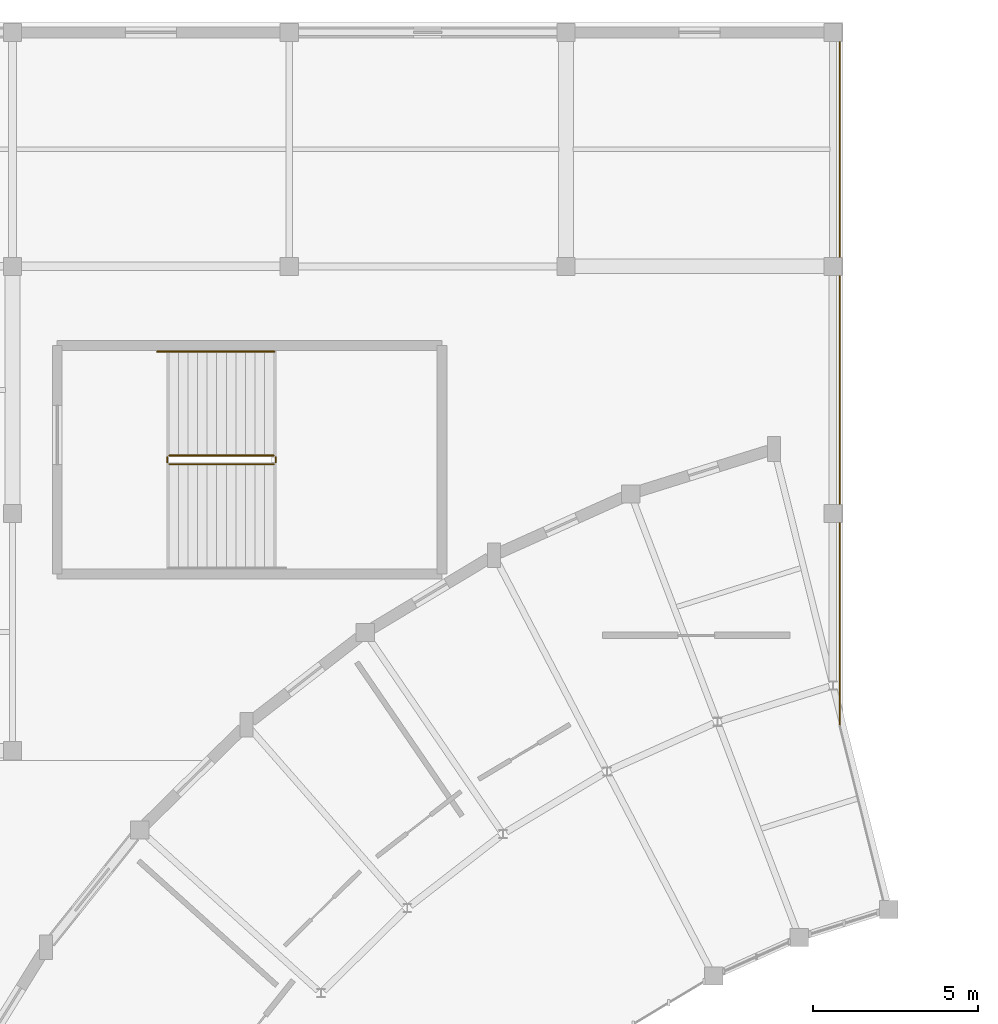
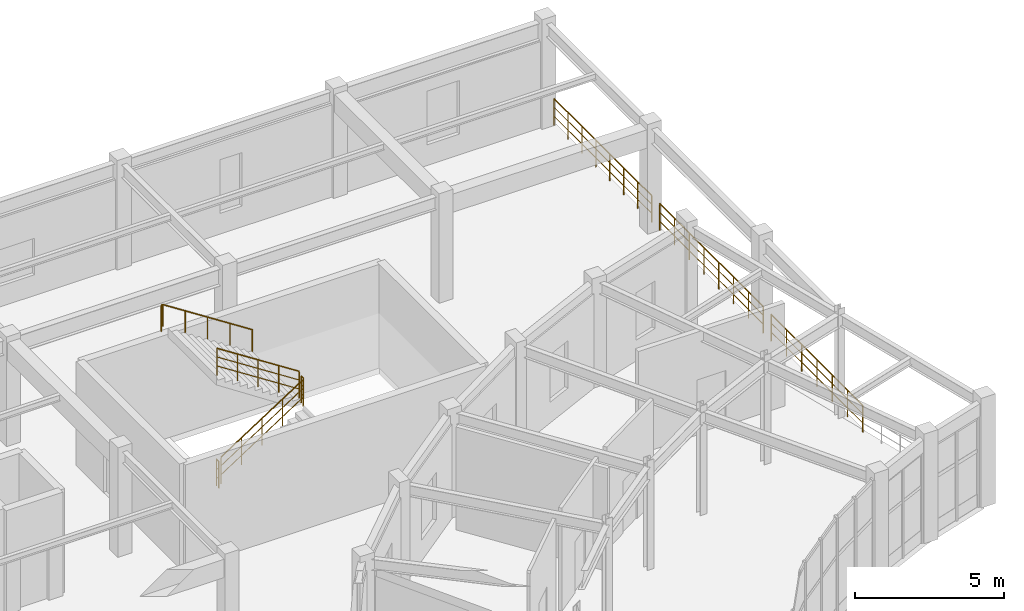
# One storey, part 108 of 112: 8 railings.
"""IFC4 building model written with IfcOpenShell, lengths in metres."""

from ifc_helpers import new_model, si_unit, direction, frame, origin, origin_2d, place, context, subcontext, project, spatial, circle, extrude, material, type_object, element, save


model = new_model("IFC4")

# Units and contexts
model_context = context("Model", 3, precision=1e-05, world=origin(), true_north=direction((0.0, 1.0)))
body_context = subcontext(model_context, "Body", "Model", "MODEL_VIEW")
ifc_project = project(units=[si_unit("LENGTHUNIT", "METRE"), si_unit("AREAUNIT", "SQUARE_METRE"), si_unit("VOLUMEUNIT", "CUBIC_METRE"), si_unit("PLANEANGLEUNIT", "RADIAN"), si_unit("MASSUNIT", "GRAM", prefix="KILO")], contexts=[model_context])

# Site, building, storey
site_placement = place(None, origin())
site = spatial("IfcSite", under=ifc_project, at=site_placement, CompositionType="ELEMENT")
building_placement = place(site_placement, origin())
building = spatial("IfcBuilding", under=site, at=building_placement, Name="Cinderbank Siding Concert Hall", CompositionType="ELEMENT")
storey_placement = place(building_placement, frame((0.0, 0.0, 10.199951171875)))
storey = spatial("IfcBuildingStorey", under=building, at=storey_placement, Name="L03", CompositionType="ELEMENT", Elevation=10.199951171875)

# Railings
ifc_material = material(Name="Structural steel AS/NZS 3679.1 Grade 350 (340 MPa)", Category="steel")
railing_type_1 = type_object("IfcRailingType", Name="GD-01 Terrace & Perimeter Guardrail 1120mm", PredefinedType="GUARDRAIL", material=ifc_material)
railing_1_placement = place(storey_placement, frame((48.699951171875, 117.6318359375, 0.0)))
element("IfcRailing", 1, at=railing_1_placement, inside=storey, type_object=railing_type_1, Name="L03 Perimeter Guardrail #69", PredefinedType="GUARDRAIL", context=body_context, shape_type="SweptSolid", body=[
    extrude(circle(Radius=0.02392578125, at=origin_2d()), frame((0.0, 0.0, 1.09619140625), z_axis=(0.0, -1.0, 0.0), x_axis=(1.0, 0.0, 0.0)), (0.0, 0.0, 1.0), 6.563720703125),
    extrude(circle(Radius=0.01611328125, at=origin_2d()), frame((0.0, 0.0, 0.36962890625), z_axis=(0.0, -1.0, 0.0), x_axis=(1.0, 0.0, 0.0)), (0.0, 0.0, 1.0), 6.563720703125),
    extrude(circle(Radius=0.01611328125, at=origin_2d()), frame((0.0, 0.0, 0.7392578125), z_axis=(0.0, -1.0, 0.0), x_axis=(1.0, 0.0, 0.0)), (0.0, 0.0, 1.0), 6.563720703125),
    extrude(circle(Radius=0.02099609375, at=origin_2d()), origin(), (0.0, 0.0, 1.0), 1.072021484375),
    extrude(circle(Radius=0.02099609375, at=origin_2d()), frame((0.0, -0.937744140625, 0.0)), (0.0, 0.0, 1.0), 1.072021484375),
    extrude(circle(Radius=0.02099609375, at=origin_2d()), frame((0.0, -1.875244140625, 0.0)), (0.0, 0.0, 1.0), 1.072021484375),
    extrude(circle(Radius=0.02099609375, at=origin_2d()), frame((0.0, -2.81298828125, 0.0)), (0.0, 0.0, 1.0), 1.072021484375),
    extrude(circle(Radius=0.02099609375, at=origin_2d()), frame((0.0, -3.750732421875, 0.0)), (0.0, 0.0, 1.0), 1.072021484375),
    extrude(circle(Radius=0.02099609375, at=origin_2d()), frame((0.0, -4.6884765625, 0.0)), (0.0, 0.0, 1.0), 1.072021484375),
    extrude(circle(Radius=0.02099609375, at=origin_2d()), frame((0.0, -5.6259765625, 0.0)), (0.0, 0.0, 1.0), 1.072021484375),
    extrude(circle(Radius=0.02099609375, at=origin_2d()), frame((0.0, -6.563720703125, 0.0)), (0.0, 0.0, 1.0), 1.072021484375),
])
railing_2_placement = place(storey_placement, frame((48.699951171875, 110.53173828125, 0.0)))
element("IfcRailing", 2, at=railing_2_placement, inside=storey, type_object=railing_type_1, Name="L03 Perimeter Guardrail #70", PredefinedType="GUARDRAIL", context=body_context, shape_type="SweptSolid", body=[
    extrude(circle(Radius=0.02392578125, at=origin_2d()), frame((0.0, 0.0, 1.09619140625), z_axis=(0.0, -1.0, 0.0), x_axis=(1.0, 0.0, 0.0)), (0.0, 0.0, 1.0), 6.963623046875),
    extrude(circle(Radius=0.01611328125, at=origin_2d()), frame((0.0, 0.0, 0.36962890625), z_axis=(0.0, -1.0, 0.0), x_axis=(1.0, 0.0, 0.0)), (0.0, 0.0, 1.0), 6.963623046875),
    extrude(circle(Radius=0.01611328125, at=origin_2d()), frame((0.0, 0.0, 0.7392578125), z_axis=(0.0, -1.0, 0.0), x_axis=(1.0, 0.0, 0.0)), (0.0, 0.0, 1.0), 6.963623046875),
    extrude(circle(Radius=0.02099609375, at=origin_2d()), origin(), (0.0, 0.0, 1.0), 1.072021484375),
    extrude(circle(Radius=0.02099609375, at=origin_2d()), frame((0.0, -0.994873046875, 0.0)), (0.0, 0.0, 1.0), 1.072021484375),
    extrude(circle(Radius=0.02099609375, at=origin_2d()), frame((0.0, -1.989501953125, 0.0)), (0.0, 0.0, 1.0), 1.072021484375),
    extrude(circle(Radius=0.02099609375, at=origin_2d()), frame((0.0, -2.984375, 0.0)), (0.0, 0.0, 1.0), 1.072021484375),
    extrude(circle(Radius=0.02099609375, at=origin_2d()), frame((0.0, -3.979248046875, 0.0)), (0.0, 0.0, 1.0), 1.072021484375),
    extrude(circle(Radius=0.02099609375, at=origin_2d()), frame((0.0, -4.97412109375, 0.0)), (0.0, 0.0, 1.0), 1.072021484375),
    extrude(circle(Radius=0.02099609375, at=origin_2d()), frame((0.0, -5.96875, 0.0)), (0.0, 0.0, 1.0), 1.072021484375),
    extrude(circle(Radius=0.02099609375, at=origin_2d()), frame((0.0, -6.963623046875, 0.0)), (0.0, 0.0, 1.0), 1.072021484375),
])
railing_3_placement = place(storey_placement, frame((48.699951171875, 103.03173828125, 0.0)))
element("IfcRailing", 3, at=railing_3_placement, inside=storey, type_object=railing_type_1, Name="L03 Perimeter Guardrail #71", PredefinedType="GUARDRAIL", context=body_context, shape_type="SweptSolid", body=[
    extrude(circle(Radius=0.02392578125, at=origin_2d()), frame((0.0, 0.0, 1.09619140625), z_axis=(0.0, -1.0, 0.0), x_axis=(1.0, 0.0, 0.0)), (0.0, 0.0, 1.0), 6.166259765625),
    extrude(circle(Radius=0.01611328125, at=origin_2d()), frame((0.0, 0.0, 0.36962890625), z_axis=(0.0, -1.0, 0.0), x_axis=(1.0, 0.0, 0.0)), (0.0, 0.0, 1.0), 6.166259765625),
    extrude(circle(Radius=0.01611328125, at=origin_2d()), frame((0.0, 0.0, 0.7392578125), z_axis=(0.0, -1.0, 0.0), x_axis=(1.0, 0.0, 0.0)), (0.0, 0.0, 1.0), 6.166259765625),
    extrude(circle(Radius=0.02099609375, at=origin_2d()), origin(), (0.0, 0.0, 1.0), 1.072021484375),
    extrude(circle(Radius=0.02099609375, at=origin_2d()), frame((0.0, -1.02783203125, 0.0)), (0.0, 0.0, 1.0), 1.072021484375),
    extrude(circle(Radius=0.02099609375, at=origin_2d()), frame((0.0, -2.055419921875, 0.0)), (0.0, 0.0, 1.0), 1.072021484375),
    extrude(circle(Radius=0.02099609375, at=origin_2d()), frame((0.0, -3.0830078125, 0.0)), (0.0, 0.0, 1.0), 1.072021484375),
    extrude(circle(Radius=0.02099609375, at=origin_2d()), frame((0.0, -4.11083984375, 0.0)), (0.0, 0.0, 1.0), 1.072021484375),
    extrude(circle(Radius=0.02099609375, at=origin_2d()), frame((0.0, -5.138671875, 0.0)), (0.0, 0.0, 1.0), 1.072021484375),
    extrude(circle(Radius=0.02099609375, at=origin_2d()), frame((0.0, -6.166259765625, 0.0)), (0.0, 0.0, 1.0), 1.072021484375),
])
railing_type_2 = type_object("IfcRailingType", Name="STG-01 Stair Well Guardrail 1120mm", PredefinedType="GUARDRAIL", material=ifc_material)
railing_4_placement = place(storey_placement, frame((28.35009765625, 104.800048828125, 0.1875)))
element("IfcRailing", 4, at=railing_4_placement, inside=storey, type_object=railing_type_2, Name="L03 ST-05 stair guard 1", PredefinedType="GUARDRAIL", context=body_context, shape_type="SweptSolid", body=[
    extrude(circle(Radius=0.02392578125, at=origin_2d()), frame((0.0, 0.0, 1.09619140625), z_axis=(0.839759782654, 0.0, 0.542958108362), x_axis=(0.0, 1.0, 0.0)), (0.0, 0.0, 1.0), 3.798583984375),
    extrude(circle(Radius=0.01611328125, at=origin_2d()), frame((0.0, 0.0, 0.36962890625), z_axis=(0.839759782654, 0.0, 0.542958108362), x_axis=(0.0, 1.0, 0.0)), (0.0, 0.0, 1.0), 3.798583984375),
    extrude(circle(Radius=0.01611328125, at=origin_2d()), frame((0.0, 0.0, 0.7392578125), z_axis=(0.839759782654, 0.0, 0.542958108362), x_axis=(0.0, 1.0, 0.0)), (0.0, 0.0, 1.0), 3.798583984375),
    extrude(circle(Radius=0.02099609375, at=origin_2d()), origin(), (0.0, 0.0, 1.0), 1.072021484375),
    extrude(circle(Radius=0.02099609375, at=origin_2d()), frame((0.79736328125, 0.0, 0.515625)), (0.0, 0.0, 1.0), 1.072021484375),
    extrude(circle(Radius=0.02099609375, at=origin_2d()), frame((1.594970703125, 0.0, 1.03125)), (0.0, 0.0, 1.0), 1.072021484375),
    extrude(circle(Radius=0.02099609375, at=origin_2d()), frame((2.392578125, 0.0, 1.546875)), (0.0, 0.0, 1.0), 1.072021484375),
    extrude(circle(Radius=0.02099609375, at=origin_2d()), frame((3.18994140625, 0.0, 2.0625)), (0.0, 0.0, 1.0), 1.072021484375),
])
railing_5_placement = place(storey_placement, frame((31.590087890625, 104.85009765625, 2.25)))
element("IfcRailing", 5, at=railing_5_placement, inside=storey, type_object=railing_type_2, Name="L03 ST-05 stair guard 2", PredefinedType="GUARDRAIL", context=body_context, shape_type="SweptSolid", body=[
    extrude(circle(Radius=0.02392578125, at=origin_2d()), frame((0.0, 0.0, 1.09619140625), z_axis=(0.0, 1.0, 0.0), x_axis=(-1.0, 0.0, 0.0)), (0.0, 0.0, 1.0), 0.159912109375),
    extrude(circle(Radius=0.01611328125, at=origin_2d()), frame((0.0, 0.0, 0.36962890625), z_axis=(0.0, 1.0, 0.0), x_axis=(-1.0, 0.0, 0.0)), (0.0, 0.0, 1.0), 0.159912109375),
    extrude(circle(Radius=0.01611328125, at=origin_2d()), frame((0.0, 0.0, 0.7392578125), z_axis=(0.0, 1.0, 0.0), x_axis=(-1.0, 0.0, 0.0)), (0.0, 0.0, 1.0), 0.159912109375),
    extrude(circle(Radius=0.02099609375, at=origin_2d()), origin(), (0.0, 0.0, 1.0), 1.072021484375),
    extrude(circle(Radius=0.02099609375, at=origin_2d()), frame((0.0, 0.159912109375, 0.0)), (0.0, 0.0, 1.0), 1.072021484375),
])
railing_6_placement = place(storey_placement, frame((31.5400390625, 105.06005859375, 2.4375)))
element("IfcRailing", 6, at=railing_6_placement, inside=storey, type_object=railing_type_2, Name="L03 ST-05 stair guard 3", PredefinedType="GUARDRAIL", context=body_context, shape_type="SweptSolid", body=[
    extrude(circle(Radius=0.02392578125, at=origin_2d()), frame((0.0, 0.0, 1.09619140625), z_axis=(-0.839759782654, 0.0, 0.542958108362), x_axis=(0.0, -1.0, 0.0)), (0.0, 0.0, 1.0), 3.798583984375),
    extrude(circle(Radius=0.01611328125, at=origin_2d()), frame((0.0, 0.0, 0.36962890625), z_axis=(-0.839759782654, 0.0, 0.542958108362), x_axis=(0.0, -1.0, 0.0)), (0.0, 0.0, 1.0), 3.798583984375),
    extrude(circle(Radius=0.01611328125, at=origin_2d()), frame((0.0, 0.0, 0.7392578125), z_axis=(-0.839759782654, 0.0, 0.542958108362), x_axis=(0.0, -1.0, 0.0)), (0.0, 0.0, 1.0), 3.798583984375),
    extrude(circle(Radius=0.02099609375, at=origin_2d()), origin(), (0.0, 0.0, 1.0), 1.072021484375),
    extrude(circle(Radius=0.02099609375, at=origin_2d()), frame((-0.79736328125, 0.0, 0.515625)), (0.0, 0.0, 1.0), 1.072021484375),
    extrude(circle(Radius=0.02099609375, at=origin_2d()), frame((-1.594970703125, 0.0, 1.03125)), (0.0, 0.0, 1.0), 1.072021484375),
    extrude(circle(Radius=0.02099609375, at=origin_2d()), frame((-2.392578125, 0.0, 1.546875)), (0.0, 0.0, 1.0), 1.072021484375),
    extrude(circle(Radius=0.02099609375, at=origin_2d()), frame((-3.18994140625, 0.0, 2.0625)), (0.0, 0.0, 1.0), 1.072021484375),
])
railing_7_placement = place(storey_placement, frame((28.300048828125, 104.85009765625, 0.0)))
element("IfcRailing", 7, at=railing_7_placement, inside=storey, type_object=railing_type_2, Name="L03 ST-05 stair guard 4", PredefinedType="GUARDRAIL", context=body_context, shape_type="SweptSolid", body=[
    extrude(circle(Radius=0.02392578125, at=origin_2d()), frame((0.0, 0.0, 1.09619140625), z_axis=(0.0, 1.0, 0.0), x_axis=(-1.0, 0.0, 0.0)), (0.0, 0.0, 1.0), 0.159912109375),
    extrude(circle(Radius=0.01611328125, at=origin_2d()), frame((0.0, 0.0, 0.36962890625), z_axis=(0.0, 1.0, 0.0), x_axis=(-1.0, 0.0, 0.0)), (0.0, 0.0, 1.0), 0.159912109375),
    extrude(circle(Radius=0.01611328125, at=origin_2d()), frame((0.0, 0.0, 0.7392578125), z_axis=(0.0, 1.0, 0.0), x_axis=(-1.0, 0.0, 0.0)), (0.0, 0.0, 1.0), 0.159912109375),
    extrude(circle(Radius=0.02099609375, at=origin_2d()), origin(), (0.0, 0.0, 1.0), 1.072021484375),
    extrude(circle(Radius=0.02099609375, at=origin_2d()), frame((0.0, 0.159912109375, 0.0)), (0.0, 0.0, 1.0), 1.072021484375),
])
railing_type_3 = type_object("IfcRailingType", Name="STH-01 Stair Pitch Handrail 920mm", PredefinedType="HANDRAIL", material=ifc_material)
railing_8_placement = place(storey_placement, frame((31.5400390625, 108.2099609375, 2.4375)))
element("IfcRailing", 8, at=railing_8_placement, inside=storey, type_object=railing_type_3, Name="L03 ST-05 stair handrail 2", PredefinedType="HANDRAIL", context=body_context, shape_type="SweptSolid", body=[
    extrude(circle(Radius=0.02392578125, at=origin_2d()), frame((0.0, 0.0, 0.89599609375), z_axis=(-0.839762940478, 0.0, 0.542953224319), x_axis=(0.0, -1.0, 0.0)), (0.0, 0.0, 1.0), 4.14404296875),
    extrude(circle(Radius=0.02392578125, at=origin_2d()), frame((-3.47998046875, 0.0, 3.14599609375), z_axis=(-1.0, 0.0, 0.0), x_axis=(0.0, -1.0, 0.0)), (0.0, 0.0, 1.0), 0.06005859375),
    extrude(circle(Radius=0.02099609375, at=origin_2d()), origin(), (0.0, 0.0, 1.0), 0.871826171875),
    extrude(circle(Radius=0.02099609375, at=origin_2d()), frame((-0.8701171875, 0.0, 0.5625)), (0.0, 0.0, 1.0), 0.871826171875),
    extrude(circle(Radius=0.02099609375, at=origin_2d()), frame((-1.739990234375, 0.0, 1.125)), (0.0, 0.0, 1.0), 0.871826171875),
    extrude(circle(Radius=0.02099609375, at=origin_2d()), frame((-2.60986328125, 0.0, 1.6875)), (0.0, 0.0, 1.0), 0.871826171875),
    extrude(circle(Radius=0.02099609375, at=origin_2d()), frame((-3.47998046875, 0.0, 2.25)), (0.0, 0.0, 1.0), 0.871826171875),
    extrude(circle(Radius=0.02099609375, at=origin_2d()), frame((-3.5400390625, 0.0, 2.0625)), (0.0, 0.0, 1.0), 1.059326171875),
])

save(model, "model.ifc")
